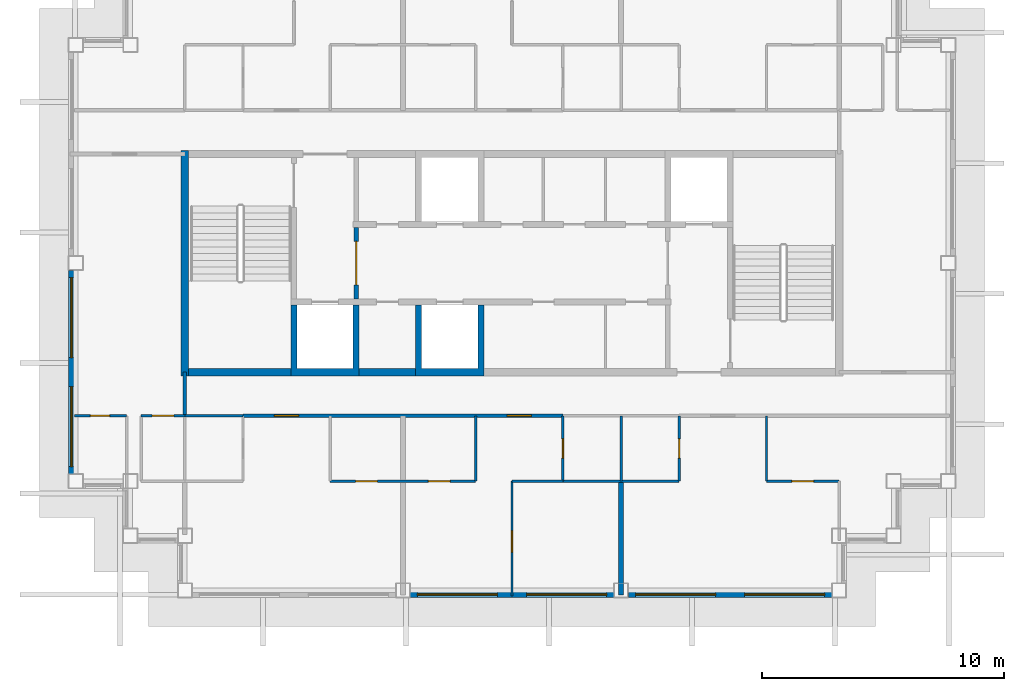
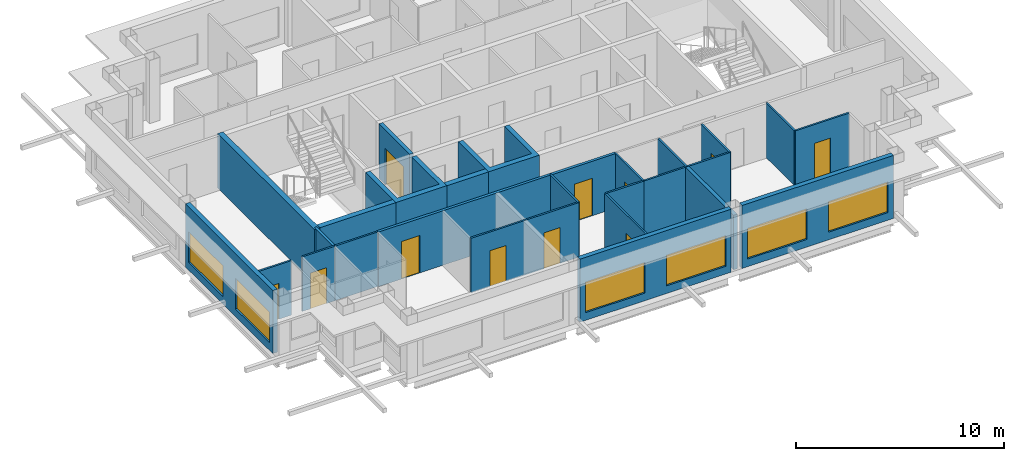
# One storey, part 2 of 11: 25 walls, 11 doors, 6 windows, 17 openings.
"""IFC4 building model written with IfcOpenShell, lengths in metres."""

from ifc_helpers import new_model, si_unit, direction, frame, frame_2d, origin, place, context, subcontext, project, spatial, polyline, rectangle, outline, extrude, material, layer, layer_set, type_object, element, fill, save


model = new_model("IFC4")

# Units and contexts
model_context = context("Model", 3, precision=1e-05, world=origin(), true_north=direction((0.0, 1.0)))
body_context = subcontext(model_context, "Body", "Model", "MODEL_VIEW")
ifc_project = project(units=[si_unit("LENGTHUNIT", "METRE"), si_unit("AREAUNIT", "SQUARE_METRE"), si_unit("VOLUMEUNIT", "CUBIC_METRE"), si_unit("PLANEANGLEUNIT", "RADIAN"), si_unit("MASSUNIT", "GRAM", prefix="KILO")], contexts=[model_context])

# Site, building, storey
site_placement = place(None, origin())
site = spatial("IfcSite", under=ifc_project, at=site_placement, CompositionType="ELEMENT")
building_placement = place(site_placement, origin())
building = spatial("IfcBuilding", under=site, at=building_placement, Name="Caravel Reach Hotel and Residences", CompositionType="ELEMENT")
storey_placement = place(building_placement, frame((0.0, 0.0, 301.89990234375)))
storey = spatial("IfcBuildingStorey", under=building, at=storey_placement, Name="L77", CompositionType="ELEMENT", Elevation=301.89990234375)

# Walls
ifc_material_1 = material(Name="Gypsum board on steel stud", Category="steel")
ifc_layer_1 = layer(ifc_material_1, 0.10009765625)
ifc_layer_set_1 = layer_set([ifc_layer_1], Name="Bathroom pod wall 100 mm")
wall_type_1 = type_object("IfcWallType", Name="Bathroom pod wall 100 mm", PredefinedType="PARTITIONING", material=ifc_layer_set_1)
wall_1_placement = place(storey_placement, frame((33.60009765625, 18.0, 0.0), z_axis=(0.0, 0.0, 1.0), x_axis=(1.0, 0.0, 0.0)))
element("IfcWall", 1, at=wall_1_placement, inside=storey, type_object=wall_type_1, Name="L77 wall w054", PredefinedType="PARTITIONING", context=body_context, shape_type="SweptSolid", body=[
    extrude(rectangle(XDim=4.7998046875, YDim=0.10009765625, at=frame_2d((2.39990234375, 0.0))), origin(), (0.0, 0.0, 1.0), 3.2001953125),
])
wall_2_placement = place(storey_placement, frame((18.0, 20.699951171875, 0.0), z_axis=(0.0, 0.0, 1.0), x_axis=(1.0, 0.0, 0.0)))
element("IfcWall", 2, at=wall_2_placement, inside=storey, type_object=wall_type_1, Name="L77 wall w056", PredefinedType="PARTITIONING", context=body_context, shape_type="SweptSolid", body=[
    extrude(rectangle(XDim=2.39990234375, YDim=0.10009765625, at=frame_2d((1.199951171875, 0.0))), origin(), (0.0, 0.0, 1.0), 3.2001953125),
])

# Wall, opening, door
wall_3_placement = place(storey_placement, frame((13.449951171875, 20.699951171875, 0.0), z_axis=(0.0, 0.0, 1.0), x_axis=(1.0, 0.0, 0.0)))
wall_3 = element("IfcWall", 3, at=wall_3_placement, inside=storey, type_object=wall_type_1, Name="L77 wall w059", PredefinedType="PARTITIONING", context=body_context, shape_type="SweptSolid", body=[
    extrude(rectangle(XDim=2.150146484375, YDim=0.10009765625, at=frame_2d((1.0751953125, 0.0))), origin(), (0.0, 0.0, 1.0), 3.2001953125),
])
opening_1_placement = place(wall_3_placement, frame((0.64990234375, 0.0, 0.0)))
opening_1 = element("IfcOpeningElement", 4, at=opening_1_placement, cuts=wall_3, Name="Opening D77-040", PredefinedType="OPENING", context=body_context, shape_type="SweptSolid", body=[
    extrude(rectangle(XDim=0.800048828125, YDim=2.10009765625, at=frame_2d((0.39990234375, 1.050048828125))), frame((0.0, 0.06005859375, 0.0), z_axis=(0.0, -1.0, 0.0), x_axis=(1.0, 0.0, 0.0)), (0.0, 0.0, 1.0), 0.1201171875),
])
ifc_material_2 = material(Name="Timber and steel door leaf", Category="steel")
door_type_1 = type_object("IfcDoorType", Name="Bathroom door 800 x 2100", OperationType="SINGLE_SWING_LEFT", PredefinedType="DOOR", material=ifc_material_2)
door_1_placement = place(opening_1_placement, origin())
door_1 = element("IfcDoor", 5, at=door_1_placement, inside=storey, type_object=door_type_1, Name="door D77-040", OperationType="SINGLE_SWING_LEFT", OverallHeight=2.10009765625, OverallWidth=0.800048828125, PredefinedType="DOOR", context=body_context, shape_type="SweptSolid", body=[
    extrude(rectangle(XDim=0.800048828125, YDim=2.10009765625, at=frame_2d((0.39990234375, 1.050048828125))), frame((0.0, 0.02490234375, 0.0), z_axis=(0.0, -1.0, 0.0), x_axis=(1.0, 0.0, 0.0)), (0.0, 0.0, 1.0), 0.050048828125),
])
fill(opening_1, door_1)

wall_4_placement = place(storey_placement, frame((33.60009765625, 18.0, 0.0), z_axis=(0.0, 0.0, 1.0), x_axis=(0.0, 1.0, 0.0)))
wall_4 = element("IfcWall", 6, at=wall_4_placement, inside=storey, type_object=wall_type_1, Name="L77 wall w073", PredefinedType="PARTITIONING", context=body_context, shape_type="SweptSolid", body=[
    extrude(rectangle(XDim=2.699951171875, YDim=0.10009765625, at=frame_2d((1.35009765625, 0.0))), origin(), (0.0, 0.0, 1.0), 3.2001953125),
])
opening_2_placement = place(wall_4_placement, frame((0.949951171875, 0.0, 0.0)))
opening_2 = element("IfcOpeningElement", 7, at=opening_2_placement, cuts=wall_4, Name="Opening D77-034", PredefinedType="OPENING", context=body_context, shape_type="SweptSolid", body=[
    extrude(rectangle(XDim=0.800048828125, YDim=2.10009765625, at=frame_2d((0.39990234375, 1.050048828125))), frame((0.0, 0.06005859375, 0.0), z_axis=(0.0, -1.0, 0.0), x_axis=(1.0, 0.0, 0.0)), (0.0, 0.0, 1.0), 0.1201171875),
])
door_2_placement = place(opening_2_placement, origin())
door_2 = element("IfcDoor", 8, at=door_2_placement, inside=storey, type_object=door_type_1, Name="door D77-034", OperationType="SINGLE_SWING_RIGHT", OverallHeight=2.10009765625, OverallWidth=0.800048828125, PredefinedType="DOOR", context=body_context, shape_type="SweptSolid", body=[
    extrude(rectangle(XDim=0.800048828125, YDim=2.10009765625, at=frame_2d((0.39990234375, 1.050048828125))), frame((0.0, 0.02490234375, 0.0), z_axis=(0.0, -1.0, 0.0), x_axis=(1.0, 0.0, 0.0)), (0.0, 0.0, 1.0), 0.050048828125),
])
fill(opening_2, door_2)

# Wall
wall_5_placement = place(storey_placement, frame((36.0, 18.0, 0.0), z_axis=(0.0, 0.0, 1.0), x_axis=(0.0, 1.0, 0.0)))
element("IfcWall", 9, at=wall_5_placement, inside=storey, type_object=wall_type_1, Name="L77 wall w075", PredefinedType="PARTITIONING", context=body_context, shape_type="SweptSolid", body=[
    extrude(rectangle(XDim=2.699951171875, YDim=0.10009765625, at=frame_2d((1.35009765625, 0.0))), origin(), (0.0, 0.0, 1.0), 3.2001953125),
])

# Wall, opening, door
wall_6_placement = place(storey_placement, frame((38.39990234375, 18.0, 0.0), z_axis=(0.0, 0.0, 1.0), x_axis=(0.0, 1.0, 0.0)))
wall_6 = element("IfcWall", 10, at=wall_6_placement, inside=storey, type_object=wall_type_1, Name="L77 wall w077", PredefinedType="PARTITIONING", context=body_context, shape_type="SweptSolid", body=[
    extrude(rectangle(XDim=2.699951171875, YDim=0.10009765625, at=frame_2d((1.35009765625, 0.0))), origin(), (0.0, 0.0, 1.0), 3.2001953125),
])
opening_3_placement = place(wall_6_placement, frame((0.949951171875, 0.0, 0.0)))
opening_3 = element("IfcOpeningElement", 11, at=opening_3_placement, cuts=wall_6, Name="Opening D77-037", PredefinedType="OPENING", context=body_context, shape_type="SweptSolid", body=[
    extrude(rectangle(XDim=0.800048828125, YDim=2.10009765625, at=frame_2d((0.39990234375, 1.050048828125))), frame((0.0, 0.06005859375, 0.0), z_axis=(0.0, -1.0, 0.0), x_axis=(1.0, 0.0, 0.0)), (0.0, 0.0, 1.0), 0.1201171875),
])
door_3_placement = place(opening_3_placement, origin())
door_3 = element("IfcDoor", 12, at=door_3_placement, inside=storey, type_object=door_type_1, Name="door D77-037", OperationType="SINGLE_SWING_RIGHT", OverallHeight=2.10009765625, OverallWidth=0.800048828125, PredefinedType="DOOR", context=body_context, shape_type="SweptSolid", body=[
    extrude(rectangle(XDim=0.800048828125, YDim=2.10009765625, at=frame_2d((0.39990234375, 1.050048828125))), frame((0.0, 0.02490234375, 0.0), z_axis=(0.0, -1.0, 0.0), x_axis=(1.0, 0.0, 0.0)), (0.0, 0.0, 1.0), 0.050048828125),
])
fill(opening_3, door_3)

# Walls
ifc_material_3 = material(Name="Concrete C60", Category="concrete")
ifc_layer_2 = layer(ifc_material_3, 0.300048828125)
ifc_layer_set_2 = layer_set([ifc_layer_2], Name="Core wall 300 mm EI 120")
wall_type_2 = type_object("IfcWallType", Name="Core wall 300 mm EI 120", PredefinedType="SHEAR", material=ifc_layer_set_2)
wall_7_placement = place(storey_placement, frame((18.14990234375, 22.5, 0.0), z_axis=(0.0, 0.0, 1.0), x_axis=(1.0, 0.0, 0.0)))
element("IfcWall", 13, at=wall_7_placement, inside=storey, type_object=wall_type_2, Name="L77 core wall S1", PredefinedType="SHEAR", context=body_context, shape_type="SweptSolid", body=[
    extrude(rectangle(XDim=4.22509765625, YDim=0.300048828125, at=frame_2d((2.112548828125, 0.0))), origin(), (0.0, 0.0, 1.0), 3.2001953125),
])
wall_8_placement = place(storey_placement, frame((25.196533203125, 22.5, 0.0), z_axis=(0.0, 0.0, 1.0), x_axis=(1.0, 0.0, 0.0)))
element("IfcWall", 14, at=wall_8_placement, inside=storey, type_object=wall_type_2, Name="L77 core wall S2", PredefinedType="SHEAR", context=body_context, shape_type="SweptSolid", body=[
    extrude(rectangle(XDim=2.3212890625, YDim=0.300048828125, at=frame_2d((1.16064453125, 0.0))), origin(), (0.0, 0.0, 1.0), 3.2001953125),
])
wall_9_placement = place(storey_placement, frame((18.0, 22.35009765625, 0.0), z_axis=(0.0, 0.0, 1.0), x_axis=(0.0, 1.0, 0.0)))
element("IfcWall", 15, at=wall_9_placement, inside=storey, type_object=wall_type_2, Name="L77 core wall W", PredefinedType="SHEAR", context=body_context, shape_type="SweptSolid", body=[
    extrude(rectangle(XDim=9.2998046875, YDim=0.300048828125, at=frame_2d((4.64990234375, 0.0))), origin(), (0.0, 0.0, 1.0), 3.2001953125),
])

# Wall, openings, doors
ifc_material_4 = material(Name="Gypsum board on steel stud, fire-rated", Category="steel")
ifc_layer_3 = layer(ifc_material_4, 0.14990234375)
ifc_layer_set_3 = layer_set([ifc_layer_3], Name="Corridor wall 150 mm EI 60")
wall_type_3 = type_object("IfcWallType", Name="Corridor wall 150 mm EI 60", PredefinedType="PARTITIONING", material=ifc_layer_set_3)
wall_10_placement = place(storey_placement, frame((20.39990234375, 20.699951171875, 0.0), z_axis=(0.0, 0.0, 1.0), x_axis=(1.0, 0.0, 0.0)))
wall_10 = element("IfcWall", 16, at=wall_10_placement, inside=storey, type_object=wall_type_3, Name="L77 wall w001", PredefinedType="PARTITIONING", context=body_context, shape_type="SweptSolid", body=[
    extrude(rectangle(XDim=13.2001953125, YDim=0.14990234375, at=frame_2d((6.60009765625, 0.0))), origin(), (0.0, 0.0, 1.0), 3.2001953125),
])
opening_4_placement = place(wall_10_placement, frame((1.300048828125, 0.0, 0.0)))
opening_4 = element("IfcOpeningElement", 17, at=opening_4_placement, cuts=wall_10, Name="Opening D77-029", PredefinedType="OPENING", context=body_context, shape_type="SweptSolid", body=[
    extrude(rectangle(XDim=1.0, YDim=2.199951171875, at=frame_2d((0.5, 1.10009765625))), frame((0.0, 0.0849609375, 0.0), z_axis=(0.0, -1.0, 0.0), x_axis=(1.0, 0.0, 0.0)), (0.0, 0.0, 1.0), 0.169921875),
])
opening_5_placement = place(wall_10_placement, frame((10.900146484375, 0.0, 0.0)))
opening_5 = element("IfcOpeningElement", 18, at=opening_5_placement, cuts=wall_10, Name="Opening D77-032", PredefinedType="OPENING", context=body_context, shape_type="SweptSolid", body=[
    extrude(rectangle(XDim=1.0, YDim=2.199951171875, at=frame_2d((0.5, 1.10009765625))), frame((0.0, 0.0849609375, 0.0), z_axis=(0.0, -1.0, 0.0), x_axis=(1.0, 0.0, 0.0)), (0.0, 0.0, 1.0), 0.169921875),
])
ifc_material_5 = material(Name="Steel fire door leaf", Category="steel")
door_type_2 = type_object("IfcDoorType", Name="Flat entrance door 1000 x 2200 EI 60", OperationType="SINGLE_SWING_LEFT", PredefinedType="DOOR", material=ifc_material_5)
door_4_placement = place(opening_4_placement, origin())
door_4 = element("IfcDoor", 19, at=door_4_placement, inside=storey, type_object=door_type_2, Name="door D77-029", OperationType="SINGLE_SWING_LEFT", OverallHeight=2.199951171875, OverallWidth=1.0, PredefinedType="DOOR", context=body_context, shape_type="SweptSolid", body=[
    extrude(rectangle(XDim=1.0, YDim=2.199951171875, at=frame_2d((0.5, 1.10009765625))), frame((0.0, 0.02490234375, 0.0), z_axis=(0.0, -1.0, 0.0), x_axis=(1.0, 0.0, 0.0)), (0.0, 0.0, 1.0), 0.050048828125),
])
fill(opening_4, door_4)
door_5_placement = place(opening_5_placement, origin())
door_5 = element("IfcDoor", 20, at=door_5_placement, inside=storey, type_object=door_type_2, Name="door D77-032", OperationType="SINGLE_SWING_RIGHT", OverallHeight=2.199951171875, OverallWidth=1.0, PredefinedType="DOOR", context=body_context, shape_type="SweptSolid", body=[
    extrude(rectangle(XDim=1.0, YDim=2.199951171875, at=frame_2d((0.5, 1.10009765625))), frame((0.0, 0.02490234375, 0.0), z_axis=(0.0, -1.0, 0.0), x_axis=(1.0, 0.0, 0.0)), (0.0, 0.0, 1.0), 0.050048828125),
])
fill(opening_5, door_5)

# Wall
wall_11_placement = place(storey_placement, frame((18.0, 20.699951171875, 0.0), z_axis=(0.0, 0.0, 1.0), x_axis=(0.0, 1.0, 0.0)))
element("IfcWall", 21, at=wall_11_placement, inside=storey, type_object=wall_type_3, Name="L77 wall w017", PredefinedType="PARTITIONING", context=body_context, shape_type="SweptSolid", body=[
    extrude(rectangle(XDim=1.800048828125, YDim=0.14990234375, at=frame_2d((0.89990234375, 0.0))), origin(), (0.0, 0.0, 1.0), 3.2001953125),
])

# Wall, openings, windows
ifc_material_6 = material(Name="Insulated rainscreen wall, aluminium cladding", Category="aluminium")
ifc_layer_4 = layer(ifc_material_6, 0.25)
ifc_layer_set_4 = layer_set([ifc_layer_4], Name="EW1 Tower rainscreen wall")
wall_type_4 = type_object("IfcWallType", Name="EW1 Tower rainscreen wall", PredefinedType="SOLIDWALL", material=ifc_layer_set_4)
wall_12_placement = place(storey_placement, frame((13.324951171875, 26.699951171875, 0.0), z_axis=(0.0, 0.0, 1.0), x_axis=(0.0, -1.0, 0.0)))
wall_12 = element("IfcWall", 22, at=wall_12_placement, inside=storey, type_object=wall_type_4, Name="External wall L77 W15.2", PredefinedType="SOLIDWALL", context=body_context, shape_type="SweptSolid", body=[
    extrude(rectangle(XDim=8.39990234375, YDim=0.25, at=frame_2d((4.199951171875, 0.0))), origin(), (0.0, 0.0, 1.0), 3.7001953125),
])
opening_6_placement = place(wall_12_placement, frame((0.300048828125, 0.0, 0.449951171875)))
opening_6 = element("IfcOpeningElement", 23, at=opening_6_placement, cuts=wall_12, Name="Opening WN28", PredefinedType="OPENING", context=body_context, shape_type="SweptSolid", body=[
    extrude(rectangle(XDim=3.300048828125, YDim=1.800048828125, at=frame_2d((1.64990234375, 0.89990234375))), frame((0.0, 0.135009765625, 0.0), z_axis=(0.0, -1.0, 0.0), x_axis=(1.0, 0.0, 0.0)), (0.0, 0.0, 1.0), 0.27001953125),
])
opening_7_placement = place(wall_12_placement, frame((4.800048828125, 0.0, 0.449951171875)))
opening_7 = element("IfcOpeningElement", 24, at=opening_7_placement, cuts=wall_12, Name="Opening WN28", PredefinedType="OPENING", context=body_context, shape_type="SweptSolid", body=[
    extrude(rectangle(XDim=3.300048828125, YDim=1.800048828125, at=frame_2d((1.64990234375, 0.89990234375))), frame((0.0, 0.135009765625, 0.0), z_axis=(0.0, -1.0, 0.0), x_axis=(1.0, 0.0, 0.0)), (0.0, 0.0, 1.0), 0.27001953125),
])
ifc_material_7 = material(Name="Dark low-e glazing in black aluminium frame", Category="aluminium")
window_type = type_object("IfcWindowType", Name="Residence living window 3300 x 1800", PartitioningType="SINGLE_PANEL", PredefinedType="WINDOW", material=ifc_material_7)
window_1_placement = place(opening_6_placement, origin())
window_1 = element("IfcWindow", 25, at=window_1_placement, inside=storey, type_object=window_type, Name="Window L77 W15.2.1", OverallHeight=1.800048828125, OverallWidth=3.300048828125, PartitioningType="SINGLE_PANEL", PredefinedType="WINDOW", context=body_context, shape_type="SweptSolid", body=[
    extrude(rectangle(XDim=3.300048828125, YDim=1.800048828125, at=frame_2d((1.64990234375, 0.89990234375))), frame((0.0, 0.030029296875, 0.0), z_axis=(0.0, -1.0, 0.0), x_axis=(1.0, 0.0, 0.0)), (0.0, 0.0, 1.0), 0.06005859375),
])
fill(opening_6, window_1)
window_2_placement = place(opening_7_placement, origin())
window_2 = element("IfcWindow", 26, at=window_2_placement, inside=storey, type_object=window_type, Name="Window L77 W15.2.2", OverallHeight=1.800048828125, OverallWidth=3.300048828125, PartitioningType="SINGLE_PANEL", PredefinedType="WINDOW", context=body_context, shape_type="SweptSolid", body=[
    extrude(rectangle(XDim=3.300048828125, YDim=1.800048828125, at=frame_2d((1.64990234375, 0.89990234375))), frame((0.0, 0.030029296875, 0.0), z_axis=(0.0, -1.0, 0.0), x_axis=(1.0, 0.0, 0.0)), (0.0, 0.0, 1.0), 0.06005859375),
])
fill(opening_7, window_2)

wall_13_placement = place(storey_placement, frame((27.300048828125, 13.324951171875, 0.0), z_axis=(0.0, 0.0, 1.0), x_axis=(1.0, 0.0, 0.0)))
wall_13 = element("IfcWall", 27, at=wall_13_placement, inside=storey, type_object=wall_type_4, Name="External wall L77 S20.2", PredefinedType="SOLIDWALL", context=body_context, shape_type="SweptSolid", body=[
    extrude(rectangle(XDim=8.39990234375, YDim=0.25, at=frame_2d((4.199951171875, 0.0))), origin(), (0.0, 0.0, 1.0), 3.7001953125),
])
opening_8_placement = place(wall_13_placement, frame((0.300048828125, 0.0, 0.449951171875)))
opening_8 = element("IfcOpeningElement", 28, at=opening_8_placement, cuts=wall_13, Name="Opening WN28", PredefinedType="OPENING", context=body_context, shape_type="SweptSolid", body=[
    extrude(rectangle(XDim=3.300048828125, YDim=1.800048828125, at=frame_2d((1.64990234375, 0.89990234375))), frame((0.0, 0.135009765625, 0.0), z_axis=(0.0, -1.0, 0.0), x_axis=(1.0, 0.0, 0.0)), (0.0, 0.0, 1.0), 0.27001953125),
])
opening_9_placement = place(wall_13_placement, frame((4.800048828125, 0.0, 0.449951171875)))
opening_9 = element("IfcOpeningElement", 29, at=opening_9_placement, cuts=wall_13, Name="Opening WN28", PredefinedType="OPENING", context=body_context, shape_type="SweptSolid", body=[
    extrude(rectangle(XDim=3.300048828125, YDim=1.800048828125, at=frame_2d((1.64990234375, 0.89990234375))), frame((0.0, 0.135009765625, 0.0), z_axis=(0.0, -1.0, 0.0), x_axis=(1.0, 0.0, 0.0)), (0.0, 0.0, 1.0), 0.27001953125),
])
window_3_placement = place(opening_8_placement, origin())
window_3 = element("IfcWindow", 30, at=window_3_placement, inside=storey, type_object=window_type, Name="Window L77 S20.2.1", OverallHeight=1.800048828125, OverallWidth=3.300048828125, PartitioningType="SINGLE_PANEL", PredefinedType="WINDOW", context=body_context, shape_type="SweptSolid", body=[
    extrude(rectangle(XDim=3.300048828125, YDim=1.800048828125, at=frame_2d((1.64990234375, 0.89990234375))), frame((0.0, 0.030029296875, 0.0), z_axis=(0.0, -1.0, 0.0), x_axis=(1.0, 0.0, 0.0)), (0.0, 0.0, 1.0), 0.06005859375),
])
fill(opening_8, window_3)
window_4_placement = place(opening_9_placement, origin())
window_4 = element("IfcWindow", 31, at=window_4_placement, inside=storey, type_object=window_type, Name="Window L77 S20.2.2", OverallHeight=1.800048828125, OverallWidth=3.300048828125, PartitioningType="SINGLE_PANEL", PredefinedType="WINDOW", context=body_context, shape_type="SweptSolid", body=[
    extrude(rectangle(XDim=3.300048828125, YDim=1.800048828125, at=frame_2d((1.64990234375, 0.89990234375))), frame((0.0, 0.030029296875, 0.0), z_axis=(0.0, -1.0, 0.0), x_axis=(1.0, 0.0, 0.0)), (0.0, 0.0, 1.0), 0.06005859375),
])
fill(opening_9, window_4)

wall_14_placement = place(storey_placement, frame((36.300048828125, 13.324951171875, 0.0), z_axis=(0.0, 0.0, 1.0), x_axis=(1.0, 0.0, 0.0)))
wall_14 = element("IfcWall", 32, at=wall_14_placement, inside=storey, type_object=wall_type_4, Name="External wall L77 S20.3", PredefinedType="SOLIDWALL", context=body_context, shape_type="SweptSolid", body=[
    extrude(rectangle(XDim=8.39990234375, YDim=0.25, at=frame_2d((4.199951171875, 0.0))), origin(), (0.0, 0.0, 1.0), 3.7001953125),
])
opening_10_placement = place(wall_14_placement, frame((0.300048828125, 0.0, 0.449951171875)))
opening_10 = element("IfcOpeningElement", 33, at=opening_10_placement, cuts=wall_14, Name="Opening WN28", PredefinedType="OPENING", context=body_context, shape_type="SweptSolid", body=[
    extrude(rectangle(XDim=3.300048828125, YDim=1.800048828125, at=frame_2d((1.64990234375, 0.89990234375))), frame((0.0, 0.135009765625, 0.0), z_axis=(0.0, -1.0, 0.0), x_axis=(1.0, 0.0, 0.0)), (0.0, 0.0, 1.0), 0.27001953125),
])
opening_11_placement = place(wall_14_placement, frame((4.800048828125, 0.0, 0.449951171875)))
opening_11 = element("IfcOpeningElement", 34, at=opening_11_placement, cuts=wall_14, Name="Opening WN28", PredefinedType="OPENING", context=body_context, shape_type="SweptSolid", body=[
    extrude(rectangle(XDim=3.300048828125, YDim=1.800048828125, at=frame_2d((1.64990234375, 0.89990234375))), frame((0.0, 0.135009765625, 0.0), z_axis=(0.0, -1.0, 0.0), x_axis=(1.0, 0.0, 0.0)), (0.0, 0.0, 1.0), 0.27001953125),
])
window_5_placement = place(opening_10_placement, origin())
window_5 = element("IfcWindow", 35, at=window_5_placement, inside=storey, type_object=window_type, Name="Window L77 S20.3.1", OverallHeight=1.800048828125, OverallWidth=3.300048828125, PartitioningType="SINGLE_PANEL", PredefinedType="WINDOW", context=body_context, shape_type="SweptSolid", body=[
    extrude(rectangle(XDim=3.300048828125, YDim=1.800048828125, at=frame_2d((1.64990234375, 0.89990234375))), frame((0.0, 0.030029296875, 0.0), z_axis=(0.0, -1.0, 0.0), x_axis=(1.0, 0.0, 0.0)), (0.0, 0.0, 1.0), 0.06005859375),
])
fill(opening_10, window_5)
window_6_placement = place(opening_11_placement, origin())
window_6 = element("IfcWindow", 36, at=window_6_placement, inside=storey, type_object=window_type, Name="Window L77 S20.3.2", OverallHeight=1.800048828125, OverallWidth=3.300048828125, PartitioningType="SINGLE_PANEL", PredefinedType="WINDOW", context=body_context, shape_type="SweptSolid", body=[
    extrude(rectangle(XDim=3.300048828125, YDim=1.800048828125, at=frame_2d((1.64990234375, 0.89990234375))), frame((0.0, 0.030029296875, 0.0), z_axis=(0.0, -1.0, 0.0), x_axis=(1.0, 0.0, 0.0)), (0.0, 0.0, 1.0), 0.06005859375),
])
fill(opening_11, window_6)

# Wall, opening, door
ifc_material_8 = material(Name="Autoclaved aerated block wall")
ifc_layer_5 = layer(ifc_material_8, 0.199951171875)
ifc_layer_set_5 = layer_set([ifc_layer_5], Name="Fire lobby wall 200 mm EI 120")
wall_type_5 = type_object("IfcWallType", Name="Fire lobby wall 200 mm EI 120", PredefinedType="PARTITIONING", material=ifc_layer_set_5)
wall_15_placement = place(storey_placement, frame((25.071533203125, 25.52490234375, 0.0), z_axis=(0.0, 0.0, 1.0), x_axis=(0.0, 1.0, 0.0)))
wall_15 = element("IfcWall", 37, at=wall_15_placement, inside=storey, type_object=wall_type_5, Name="L77 lobby W wall", PredefinedType="PARTITIONING", context=body_context, shape_type="SweptSolid", body=[
    extrude(rectangle(XDim=2.9501953125, YDim=0.199951171875, at=frame_2d((1.47509765625, 0.0))), origin(), (0.0, 0.0, 1.0), 3.2001953125),
])
opening_12_placement = place(wall_15_placement, frame((0.574951171875, 0.0, 0.0)))
opening_12 = element("IfcOpeningElement", 38, at=opening_12_placement, cuts=wall_15, Name="Opening D77-014", PredefinedType="OPENING", context=body_context, shape_type="SweptSolid", body=[
    extrude(rectangle(XDim=1.800048828125, YDim=2.10009765625, at=frame_2d((0.89990234375, 1.050048828125))), frame((0.0, 0.10986328125, 0.0), z_axis=(0.0, -1.0, 0.0), x_axis=(1.0, 0.0, 0.0)), (0.0, 0.0, 1.0), 0.219970703125),
])
ifc_material_9 = material(Name="Steel fire door leaf", Category="steel")
door_type_3 = type_object("IfcDoorType", Name="Fire lobby door pair 1800 x 2100 EI 90", OperationType="DOUBLE_DOOR_SINGLE_SWING", PredefinedType="DOOR", material=ifc_material_9)
door_6_placement = place(opening_12_placement, origin())
door_6 = element("IfcDoor", 39, at=door_6_placement, inside=storey, type_object=door_type_3, Name="lobby W door pair", OperationType="DOUBLE_DOOR_SINGLE_SWING", OverallHeight=2.10009765625, OverallWidth=1.800048828125, PredefinedType="DOOR", context=body_context, shape_type="SweptSolid", body=[
    extrude(rectangle(XDim=1.800048828125, YDim=2.10009765625, at=frame_2d((0.89990234375, 1.050048828125))), frame((0.0, 0.02490234375, 0.0), z_axis=(0.0, -1.0, 0.0), x_axis=(1.0, 0.0, 0.0)), (0.0, 0.0, 1.0), 0.050048828125),
])
fill(opening_12, door_6)

# Wall, openings, doors
ifc_material_10 = material(Name="Gypsum board on steel stud", Category="steel")
ifc_layer_6 = layer(ifc_material_10, 0.10009765625)
ifc_layer_set_6 = layer_set([ifc_layer_6], Name="Partition 100 mm")
wall_type_6 = type_object("IfcWallType", Name="Partition 100 mm", PredefinedType="PARTITIONING", material=ifc_layer_set_6)
wall_16_placement = place(storey_placement, frame((24.0, 18.0, 0.0), z_axis=(0.0, 0.0, 1.0), x_axis=(1.0, 0.0, 0.0)))
wall_16 = element("IfcWall", 40, at=wall_16_placement, inside=storey, type_object=wall_type_6, Name="L77 wall w019", PredefinedType="PARTITIONING", context=body_context, shape_type="SweptSolid", body=[
    extrude(rectangle(XDim=6.0, YDim=0.10009765625, at=frame_2d((3.0, 0.0))), origin(), (0.0, 0.0, 1.0), 3.2001953125),
])
opening_13_placement = place(wall_16_placement, frame((1.050048828125, 0.0, 0.0)))
opening_13 = element("IfcOpeningElement", 41, at=opening_13_placement, cuts=wall_16, Name="Opening D77-031", PredefinedType="OPENING", context=body_context, shape_type="SweptSolid", body=[
    extrude(rectangle(XDim=0.89990234375, YDim=2.10009765625, at=frame_2d((0.449951171875, 1.050048828125))), frame((0.0, 0.06005859375, 0.0), z_axis=(0.0, -1.0, 0.0), x_axis=(1.0, 0.0, 0.0)), (0.0, 0.0, 1.0), 0.1201171875),
])
opening_14_placement = place(wall_16_placement, frame((4.050048828125, 0.0, 0.0)))
opening_14 = element("IfcOpeningElement", 42, at=opening_14_placement, cuts=wall_16, Name="Opening D77-033", PredefinedType="OPENING", context=body_context, shape_type="SweptSolid", body=[
    extrude(rectangle(XDim=0.89990234375, YDim=2.10009765625, at=frame_2d((0.449951171875, 1.050048828125))), frame((0.0, 0.06005859375, 0.0), z_axis=(0.0, -1.0, 0.0), x_axis=(1.0, 0.0, 0.0)), (0.0, 0.0, 1.0), 0.1201171875),
])
ifc_material_11 = material(Name="Timber and steel door leaf", Category="steel")
door_type_4 = type_object("IfcDoorType", Name="Door 900 x 2100 timber", OperationType="SINGLE_SWING_LEFT", PredefinedType="DOOR", material=ifc_material_11)
door_7_placement = place(opening_13_placement, origin())
door_7 = element("IfcDoor", 43, at=door_7_placement, inside=storey, type_object=door_type_4, Name="door D77-031", OperationType="SINGLE_SWING_LEFT", OverallHeight=2.10009765625, OverallWidth=0.89990234375, PredefinedType="DOOR", context=body_context, shape_type="SweptSolid", body=[
    extrude(rectangle(XDim=0.89990234375, YDim=2.10009765625, at=frame_2d((0.449951171875, 1.050048828125))), frame((0.0, 0.02490234375, 0.0), z_axis=(0.0, -1.0, 0.0), x_axis=(1.0, 0.0, 0.0)), (0.0, 0.0, 1.0), 0.050048828125),
])
fill(opening_13, door_7)
door_8_placement = place(opening_14_placement, origin())
door_8 = element("IfcDoor", 44, at=door_8_placement, inside=storey, type_object=door_type_4, Name="door D77-033", OperationType="SINGLE_SWING_LEFT", OverallHeight=2.10009765625, OverallWidth=0.89990234375, PredefinedType="DOOR", context=body_context, shape_type="SweptSolid", body=[
    extrude(rectangle(XDim=0.89990234375, YDim=2.10009765625, at=frame_2d((0.449951171875, 1.050048828125))), frame((0.0, 0.02490234375, 0.0), z_axis=(0.0, -1.0, 0.0), x_axis=(1.0, 0.0, 0.0)), (0.0, 0.0, 1.0), 0.050048828125),
])
fill(opening_14, door_8)

# Wall
wall_17_placement = place(storey_placement, frame((31.5, 18.0, 0.0), z_axis=(0.0, 0.0, 1.0), x_axis=(1.0, 0.0, 0.0)))
element("IfcWall", 45, at=wall_17_placement, inside=storey, type_object=wall_type_6, Name="L77 wall w020", PredefinedType="PARTITIONING", context=body_context, shape_type="SweptSolid", body=[
    extrude(rectangle(XDim=2.10009765625, YDim=0.10009765625, at=frame_2d((1.050048828125, 0.0))), origin(), (0.0, 0.0, 1.0), 3.2001953125),
])

# Wall, opening, door
wall_18_placement = place(storey_placement, frame((42.0, 18.0, 0.0), z_axis=(0.0, 0.0, 1.0), x_axis=(1.0, 0.0, 0.0)))
wall_18 = element("IfcWall", 46, at=wall_18_placement, inside=storey, type_object=wall_type_6, Name="L77 wall w022", PredefinedType="PARTITIONING", context=body_context, shape_type="SweptSolid", body=[
    extrude(rectangle(XDim=3.0, YDim=0.10009765625, at=frame_2d((1.5, 0.0))), origin(), (0.0, 0.0, 1.0), 3.2001953125),
])
opening_15_placement = place(wall_18_placement, frame((1.050048828125, 0.0, 0.0)))
opening_15 = element("IfcOpeningElement", 47, at=opening_15_placement, cuts=wall_18, Name="Opening D77-038", PredefinedType="OPENING", context=body_context, shape_type="SweptSolid", body=[
    extrude(rectangle(XDim=0.89990234375, YDim=2.10009765625, at=frame_2d((0.449951171875, 1.050048828125))), frame((0.0, 0.06005859375, 0.0), z_axis=(0.0, -1.0, 0.0), x_axis=(1.0, 0.0, 0.0)), (0.0, 0.0, 1.0), 0.1201171875),
])
door_9_placement = place(opening_15_placement, origin())
door_9 = element("IfcDoor", 48, at=door_9_placement, inside=storey, type_object=door_type_4, Name="door D77-038", OperationType="SINGLE_SWING_LEFT", OverallHeight=2.10009765625, OverallWidth=0.89990234375, PredefinedType="DOOR", context=body_context, shape_type="SweptSolid", body=[
    extrude(rectangle(XDim=0.89990234375, YDim=2.10009765625, at=frame_2d((0.449951171875, 1.050048828125))), frame((0.0, 0.02490234375, 0.0), z_axis=(0.0, -1.0, 0.0), x_axis=(1.0, 0.0, 0.0)), (0.0, 0.0, 1.0), 0.050048828125),
])
fill(opening_15, door_9)

wall_19_placement = place(storey_placement, frame((16.199951171875, 20.699951171875, 0.0), z_axis=(0.0, 0.0, 1.0), x_axis=(1.0, 0.0, 0.0)))
wall_19 = element("IfcWall", 49, at=wall_19_placement, inside=storey, type_object=wall_type_6, Name="L77 wall w024", PredefinedType="PARTITIONING", context=body_context, shape_type="SweptSolid", body=[
    extrude(rectangle(XDim=1.800048828125, YDim=0.10009765625, at=frame_2d((0.89990234375, 0.0))), origin(), (0.0, 0.0, 1.0), 3.2001953125),
])
opening_16_placement = place(wall_19_placement, frame((0.449951171875, 0.0, 0.0)))
opening_16 = element("IfcOpeningElement", 50, at=opening_16_placement, cuts=wall_19, Name="Opening D77-041", PredefinedType="OPENING", context=body_context, shape_type="SweptSolid", body=[
    extrude(rectangle(XDim=0.89990234375, YDim=2.10009765625, at=frame_2d((0.449951171875, 1.050048828125))), frame((0.0, 0.06005859375, 0.0), z_axis=(0.0, -1.0, 0.0), x_axis=(1.0, 0.0, 0.0)), (0.0, 0.0, 1.0), 0.1201171875),
])
door_10_placement = place(opening_16_placement, origin())
door_10 = element("IfcDoor", 51, at=door_10_placement, inside=storey, type_object=door_type_4, Name="door D77-041", OperationType="SINGLE_SWING_RIGHT", OverallHeight=2.10009765625, OverallWidth=0.89990234375, PredefinedType="DOOR", context=body_context, shape_type="SweptSolid", body=[
    extrude(rectangle(XDim=0.89990234375, YDim=2.10009765625, at=frame_2d((0.449951171875, 1.050048828125))), frame((0.0, 0.02490234375, 0.0), z_axis=(0.0, -1.0, 0.0), x_axis=(1.0, 0.0, 0.0)), (0.0, 0.0, 1.0), 0.050048828125),
])
fill(opening_16, door_10)

# Wall
wall_20_placement = place(storey_placement, frame((30.0, 18.0, 0.0), z_axis=(0.0, 0.0, 1.0), x_axis=(0.0, 1.0, 0.0)))
element("IfcWall", 52, at=wall_20_placement, inside=storey, type_object=wall_type_6, Name="L77 wall w037", PredefinedType="PARTITIONING", context=body_context, shape_type="SweptSolid", body=[
    extrude(rectangle(XDim=2.699951171875, YDim=0.10009765625, at=frame_2d((1.35009765625, 0.0))), origin(), (0.0, 0.0, 1.0), 3.2001953125),
])

# Wall, opening, door
wall_21_placement = place(storey_placement, frame((31.5, 13.260009765625, 0.0), z_axis=(0.0, 0.0, 1.0), x_axis=(0.0, 1.0, 0.0)))
wall_21 = element("IfcWall", 53, at=wall_21_placement, inside=storey, type_object=wall_type_6, Name="L77 wall w039", PredefinedType="PARTITIONING", context=body_context, shape_type="SweptSolid", body=[
    extrude(rectangle(XDim=4.739990234375, YDim=0.10009765625, at=frame_2d((2.3701171875, 0.0))), origin(), (0.0, 0.0, 1.0), 3.2001953125),
])
opening_17_placement = place(wall_21_placement, frame((1.800048828125, 0.0, 0.0)))
opening_17 = element("IfcOpeningElement", 54, at=opening_17_placement, cuts=wall_21, Name="Opening D77-035", PredefinedType="OPENING", context=body_context, shape_type="SweptSolid", body=[
    extrude(rectangle(XDim=0.89990234375, YDim=2.10009765625, at=frame_2d((0.449951171875, 1.050048828125))), frame((0.0, 0.06005859375, 0.0), z_axis=(0.0, -1.0, 0.0), x_axis=(1.0, 0.0, 0.0)), (0.0, 0.0, 1.0), 0.1201171875),
])
door_11_placement = place(opening_17_placement, origin())
door_11 = element("IfcDoor", 55, at=door_11_placement, inside=storey, type_object=door_type_4, Name="door D77-035", OperationType="SINGLE_SWING_LEFT", OverallHeight=2.10009765625, OverallWidth=0.89990234375, PredefinedType="DOOR", context=body_context, shape_type="SweptSolid", body=[
    extrude(rectangle(XDim=0.89990234375, YDim=2.10009765625, at=frame_2d((0.449951171875, 1.050048828125))), frame((0.0, 0.02490234375, 0.0), z_axis=(0.0, -1.0, 0.0), x_axis=(1.0, 0.0, 0.0)), (0.0, 0.0, 1.0), 0.050048828125),
])
fill(opening_17, door_11)

# Walls
wall_22_placement = place(storey_placement, frame((42.0, 18.0, 0.0), z_axis=(0.0, 0.0, 1.0), x_axis=(0.0, 1.0, 0.0)))
element("IfcWall", 56, at=wall_22_placement, inside=storey, type_object=wall_type_6, Name="L77 wall w041", PredefinedType="PARTITIONING", context=body_context, shape_type="SweptSolid", body=[
    extrude(rectangle(XDim=2.699951171875, YDim=0.10009765625, at=frame_2d((1.35009765625, 0.0))), origin(), (0.0, 0.0, 1.0), 3.2001953125),
])
ifc_material_12 = material(Name="Autoclaved aerated block wall")
ifc_layer_7 = layer(ifc_material_12, 0.199951171875)
ifc_layer_set_7 = layer_set([ifc_layer_7], Name="Party wall 200 mm EI 60")
wall_type_7 = type_object("IfcWallType", Name="Party wall 200 mm EI 60", PredefinedType="PARTITIONING", material=ifc_layer_set_7)
wall_23_placement = place(storey_placement, frame((36.0, 13.31005859375, 0.0), z_axis=(0.0, 0.0, 1.0), x_axis=(0.0, 1.0, 0.0)))
element("IfcWall", 57, at=wall_23_placement, inside=storey, type_object=wall_type_7, Name="L77 wall w050", PredefinedType="PARTITIONING", context=body_context, shape_type="SweptSolid", body=[
    extrude(rectangle(XDim=4.68994140625, YDim=0.199951171875, at=frame_2d((2.344970703125, 0.0))), origin(), (0.0, 0.0, 1.0), 3.2001953125),
])
ifc_material_13 = material(Name="Concrete C60", Category="concrete")
ifc_layer_8 = layer(ifc_material_13, 0.25)
ifc_layer_set_8 = layer_set([ifc_layer_8], Name="Shaft wall 250 mm EI 120")
wall_type_8 = type_object("IfcWallType", Name="Shaft wall 250 mm EI 120", PredefinedType="SHEAR", material=ifc_layer_set_8)
wall_24_placement = place(storey_placement, origin())
element("IfcWall", 58, at=wall_24_placement, inside=storey, type_object=wall_type_8, Name="L77 lift shaft wall S1", PredefinedType="SHEAR", context=body_context, shape_type="SweptSolid", body=[
    extrude(outline(polyline([(22.375, 22.35009765625), (25.196533203125, 22.35009765625), (25.196533203125, 25.27490234375), (24.946533203125, 25.27490234375), (24.946533203125, 22.64990234375), (22.625, 22.64990234375), (22.625, 25.27490234375), (22.375, 25.27490234375), (22.375, 22.35009765625)])), origin(), (0.0, 0.0, 1.0), 3.2001953125),
])
wall_25_placement = place(storey_placement, origin())
element("IfcWall", 59, at=wall_25_placement, inside=storey, type_object=wall_type_8, Name="L77 lift shaft wall S2", PredefinedType="SHEAR", context=body_context, shape_type="SweptSolid", body=[
    extrude(outline(polyline([(27.517822265625, 22.35009765625), (30.33935546875, 22.35009765625), (30.33935546875, 25.27490234375), (30.08935546875, 25.27490234375), (30.08935546875, 22.64990234375), (27.767822265625, 22.64990234375), (27.767822265625, 25.27490234375), (27.517822265625, 25.27490234375), (27.517822265625, 22.35009765625)])), origin(), (0.0, 0.0, 1.0), 3.2001953125),
])

save(model, "model.ifc")
